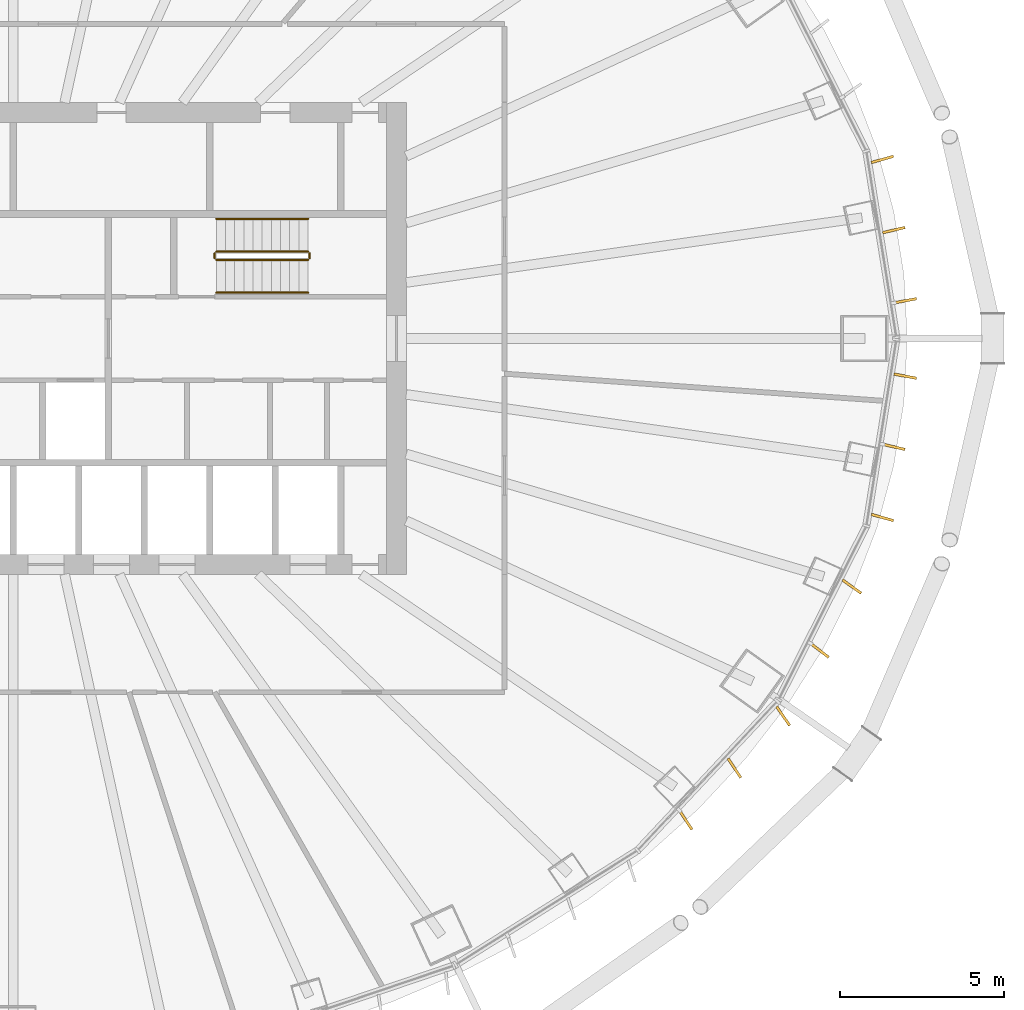
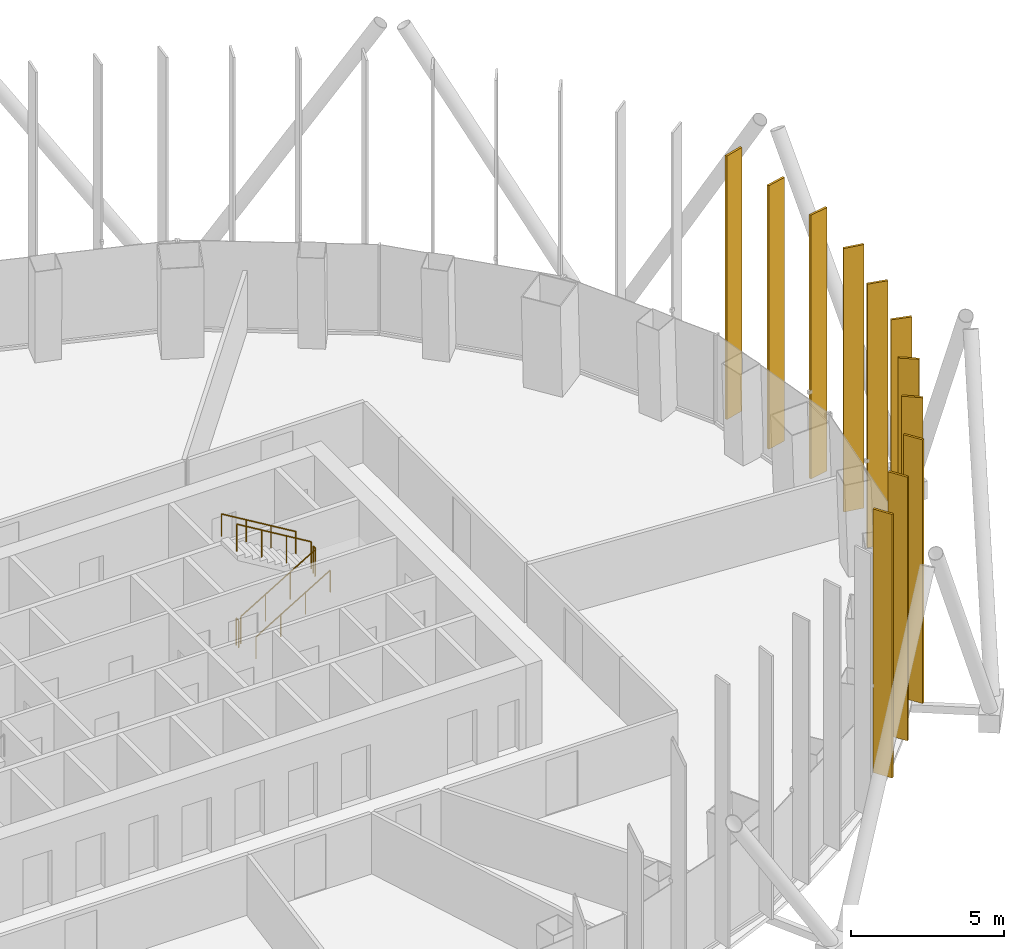
# One storey, part 20 of 21: 11 shading devices, 6 railings.
"""IFC4 building model written with IfcOpenShell, lengths in metres."""

from ifc_helpers import new_model, si_unit, direction, frame, origin, origin_2d, place, context, subcontext, project, spatial, rectangle, circle, extrude, material, layer, layer_set, type_object, element, save


model = new_model("IFC4")

# Units and contexts
model_context = context("Model", 3, precision=1e-05, world=origin(), true_north=direction((0.0, 1.0)))
body_context = subcontext(model_context, "Body", "Model", "MODEL_VIEW")
ifc_project = project(units=[si_unit("LENGTHUNIT", "METRE"), si_unit("AREAUNIT", "SQUARE_METRE"), si_unit("VOLUMEUNIT", "CUBIC_METRE"), si_unit("PLANEANGLEUNIT", "RADIAN"), si_unit("MASSUNIT", "GRAM", prefix="KILO")], contexts=[model_context])

# Site, building, storey
site_placement = place(None, origin())
site = spatial("IfcSite", under=ifc_project, at=site_placement, CompositionType="ELEMENT")
building_placement = place(site_placement, origin())
building = spatial("IfcBuilding", under=site, at=building_placement, Name="Siaravel Broadcast Tower", CompositionType="ELEMENT")
storey_placement = place(building_placement, frame((0.0, 0.0, 70.39990234375)))
storey = spatial("IfcBuildingStorey", under=building, at=storey_placement, Name="L16", CompositionType="ELEMENT", Elevation=70.39990234375)

# Shading devices
ifc_material_1 = material(Name="Bronze anodised aluminium", Category="aluminium")
ifc_layer = layer(ifc_material_1, 0.080078125)
ifc_layer_set = layer_set([ifc_layer], Name="Bronze anodised aluminium")
shading_device_type = type_object("IfcShadingDeviceType", Name="Bronze fin zone 1", PredefinedType="USERDEFINED", material=ifc_layer_set)
for number, where, z_axis, x_axis, name in (
    (1, (27.232421875, 1.150390625, 0.300048828125), (0.0, 0.0, 1.0), (0.983273668, 0.182134274, 0.0), "Bronze fin L16-01"),
    (2, (26.884521484375, 3.30908203125, 0.300048828125), (0.0, 0.0, 1.0), (0.973599623, 0.22826251, 0.0), "Bronze fin L16-02"),
    (3, (26.536376953125, 5.46630859375, 0.300048828125), (0.0, 0.0, 1.0), (0.962547563, 0.271112873, 0.0), "Bronze fin L16-03"),
    (4, (20.530029296875, -14.700927734375, 0.300048828125), (0.0, 0.0, 1.0), (0.544914192, -0.838491815, 0.0), "Bronze fin L16-64"),
    (5, (22.0166015625, -13.115234375, 0.300048828125), (0.0, 0.0, 1.0), (0.553632844, -0.832760875, 0.0), "Bronze fin L16-65"),
    (6, (23.505126953125, -11.528076171875, 0.300048828125), (0.0, 0.0, 1.0), (0.568494367, -0.822687155, 0.0), "Bronze fin L16-66"),
    (7, (24.61767578125, -9.521484375, 0.300048828125), (0.0, 0.0, 1.0), (0.792827112, -0.60944661, 0.0), "Bronze fin L16-67"),
    (8, (25.603759765625, -7.57568359375, 0.300048828125), (0.0, 0.0, 1.0), (0.81266162, -0.582735868, 0.0), "Bronze fin L16-68"),
    (9, (26.536376953125, -5.46630859375, 0.300048828125), (0.0, 0.0, 1.0), (0.962547563, -0.271112873, 0.0), "Bronze fin L16-69"),
    (10, (26.884521484375, -3.30908203125, 0.300048828125), (0.0, 0.0, 1.0), (0.973599623, -0.22826251, 0.0), "Bronze fin L16-70"),
    (11, (27.232421875, -1.150390625, 0.300048828125), (0.0, 0.0, 1.0), (0.983273668, -0.182134274, 0.0), "Bronze fin L16-71"),
):
    element("IfcShadingDevice", number, at=place(storey_placement, frame(where, z_axis=z_axis, x_axis=x_axis)), inside=storey, type_object=shading_device_type, Name=name, ObjectType="FIN", PredefinedType="USERDEFINED", context=body_context, shape_type="SweptSolid", body=[
        extrude(rectangle(XDim=0.699951171875, YDim=0.080078125, at=origin_2d()), origin(), (0.0, 0.0, 1.0), 10.5),
    ])

# Railings
ifc_material_2 = material(Name="Stainless steel 316L", Category="steel")
railing_type_1 = type_object("IfcRailingType", Name="Stair guard 1100", PredefinedType="GUARDRAIL", material=ifc_material_2)
railing_1_placement = place(storey_placement, frame((6.199951171875, 2.39990234375, 0.168212890625)))
element("IfcRailing", 12, at=railing_1_placement, inside=storey, type_object=railing_type_1, Name="L16 ST-2 stair guard 1", PredefinedType="GUARDRAIL", context=body_context, shape_type="SweptSolid", body=[
    extrude(circle(Radius=0.02392578125, at=origin_2d()), frame((0.0, 0.0, 1.076171875), z_axis=(0.857242211, 0.0, 0.514913383), x_axis=(0.0, 1.0, 0.0)), (0.0, 0.0, 1.0), 3.266357421875),
    extrude(circle(Radius=0.02099609375, at=origin_2d()), origin(), (0.0, 0.0, 1.0), 1.052001953125),
    extrude(circle(Radius=0.02099609375, at=origin_2d()), frame((0.933349609375, 0.0, 0.560546875)), (0.0, 0.0, 1.0), 1.052001953125),
    extrude(circle(Radius=0.02099609375, at=origin_2d()), frame((1.86669921875, 0.0, 1.121337890625)), (0.0, 0.0, 1.0), 1.052001953125),
    extrude(circle(Radius=0.02099609375, at=origin_2d()), frame((2.800048828125, 0.0, 1.681884765625)), (0.0, 0.0, 1.0), 1.052001953125),
])
railing_2_placement = place(storey_placement, frame((9.050048828125, 2.449951171875, 1.85009765625)))
element("IfcRailing", 13, at=railing_2_placement, inside=storey, type_object=railing_type_1, Name="L16 ST-2 stair guard 2", PredefinedType="GUARDRAIL", context=body_context, shape_type="SweptSolid", body=[
    extrude(circle(Radius=0.02392578125, at=origin_2d()), frame((0.0, 0.0, 1.076171875), z_axis=(0.0, 1.0, 0.0), x_axis=(-1.0, 0.0, 0.0)), (0.0, 0.0, 1.0), 0.150146484375),
    extrude(circle(Radius=0.02099609375, at=origin_2d()), origin(), (0.0, 0.0, 1.0), 1.052001953125),
    extrude(circle(Radius=0.02099609375, at=origin_2d()), frame((0.0, 0.150146484375, 0.0)), (0.0, 0.0, 1.0), 1.052001953125),
])
railing_3_placement = place(storey_placement, frame((9.0, 2.64990234375, 2.018310546875)))
element("IfcRailing", 14, at=railing_3_placement, inside=storey, type_object=railing_type_1, Name="L16 ST-2 stair guard 3", PredefinedType="GUARDRAIL", context=body_context, shape_type="SweptSolid", body=[
    extrude(circle(Radius=0.02392578125, at=origin_2d()), frame((0.0, 0.0, 1.076171875), z_axis=(-0.857242211, 0.0, 0.514913383), x_axis=(0.0, -1.0, 0.0)), (0.0, 0.0, 1.0), 3.266357421875),
    extrude(circle(Radius=0.02099609375, at=origin_2d()), origin(), (0.0, 0.0, 1.0), 1.052001953125),
    extrude(circle(Radius=0.02099609375, at=origin_2d()), frame((-0.933349609375, 0.0, 0.560546875)), (0.0, 0.0, 1.0), 1.052001953125),
    extrude(circle(Radius=0.02099609375, at=origin_2d()), frame((-1.86669921875, 0.0, 1.121337890625)), (0.0, 0.0, 1.0), 1.052001953125),
    extrude(circle(Radius=0.02099609375, at=origin_2d()), frame((-2.800048828125, 0.0, 1.681884765625)), (0.0, 0.0, 1.0), 1.052001953125),
])
railing_4_placement = place(storey_placement, frame((6.14990234375, 2.449951171875, 0.0)))
element("IfcRailing", 15, at=railing_4_placement, inside=storey, type_object=railing_type_1, Name="L16 ST-2 stair guard 4", PredefinedType="GUARDRAIL", context=body_context, shape_type="SweptSolid", body=[
    extrude(circle(Radius=0.02392578125, at=origin_2d()), frame((0.0, 0.0, 1.076171875), z_axis=(0.0, 1.0, 0.0), x_axis=(-1.0, 0.0, 0.0)), (0.0, 0.0, 1.0), 0.150146484375),
    extrude(circle(Radius=0.02099609375, at=origin_2d()), origin(), (0.0, 0.0, 1.0), 1.052001953125),
    extrude(circle(Radius=0.02099609375, at=origin_2d()), frame((0.0, 0.150146484375, 0.0)), (0.0, 0.0, 1.0), 1.052001953125),
])
railing_type_2 = type_object("IfcRailingType", Name="Stair handrail 900", PredefinedType="HANDRAIL", material=ifc_material_2)
railing_5_placement = place(storey_placement, frame((6.199951171875, 1.39990234375, 0.168212890625)))
element("IfcRailing", 16, at=railing_5_placement, inside=storey, type_object=railing_type_2, Name="L16 ST-2 stair handrail 1", PredefinedType="HANDRAIL", context=body_context, shape_type="SweptSolid", body=[
    extrude(circle(Radius=0.02392578125, at=origin_2d()), frame((0.0, 0.0, 0.8759765625), z_axis=(0.857242211, 0.0, 0.514913383), x_axis=(0.0, 1.0, 0.0)), (0.0, 0.0, 1.0), 3.266357421875),
    extrude(circle(Radius=0.02099609375, at=origin_2d()), origin(), (0.0, 0.0, 1.0), 0.851806640625),
    extrude(circle(Radius=0.02099609375, at=origin_2d()), frame((0.933349609375, 0.0, 0.560546875)), (0.0, 0.0, 1.0), 0.851806640625),
    extrude(circle(Radius=0.02099609375, at=origin_2d()), frame((1.86669921875, 0.0, 1.121337890625)), (0.0, 0.0, 1.0), 0.851806640625),
    extrude(circle(Radius=0.02099609375, at=origin_2d()), frame((2.800048828125, 0.0, 1.681884765625)), (0.0, 0.0, 1.0), 0.851806640625),
])
railing_6_placement = place(storey_placement, frame((9.0, 3.64990234375, 2.018310546875)))
element("IfcRailing", 17, at=railing_6_placement, inside=storey, type_object=railing_type_2, Name="L16 ST-2 stair handrail 2", PredefinedType="HANDRAIL", context=body_context, shape_type="SweptSolid", body=[
    extrude(circle(Radius=0.02392578125, at=origin_2d()), frame((0.0, 0.0, 0.8759765625), z_axis=(-0.857242211, 0.0, 0.514913383), x_axis=(0.0, -1.0, 0.0)), (0.0, 0.0, 1.0), 3.266357421875),
    extrude(circle(Radius=0.02099609375, at=origin_2d()), origin(), (0.0, 0.0, 1.0), 0.851806640625),
    extrude(circle(Radius=0.02099609375, at=origin_2d()), frame((-0.933349609375, 0.0, 0.560546875)), (0.0, 0.0, 1.0), 0.851806640625),
    extrude(circle(Radius=0.02099609375, at=origin_2d()), frame((-1.86669921875, 0.0, 1.121337890625)), (0.0, 0.0, 1.0), 0.851806640625),
    extrude(circle(Radius=0.02099609375, at=origin_2d()), frame((-2.800048828125, 0.0, 1.681884765625)), (0.0, 0.0, 1.0), 0.851806640625),
])

save(model, "model.ifc")
